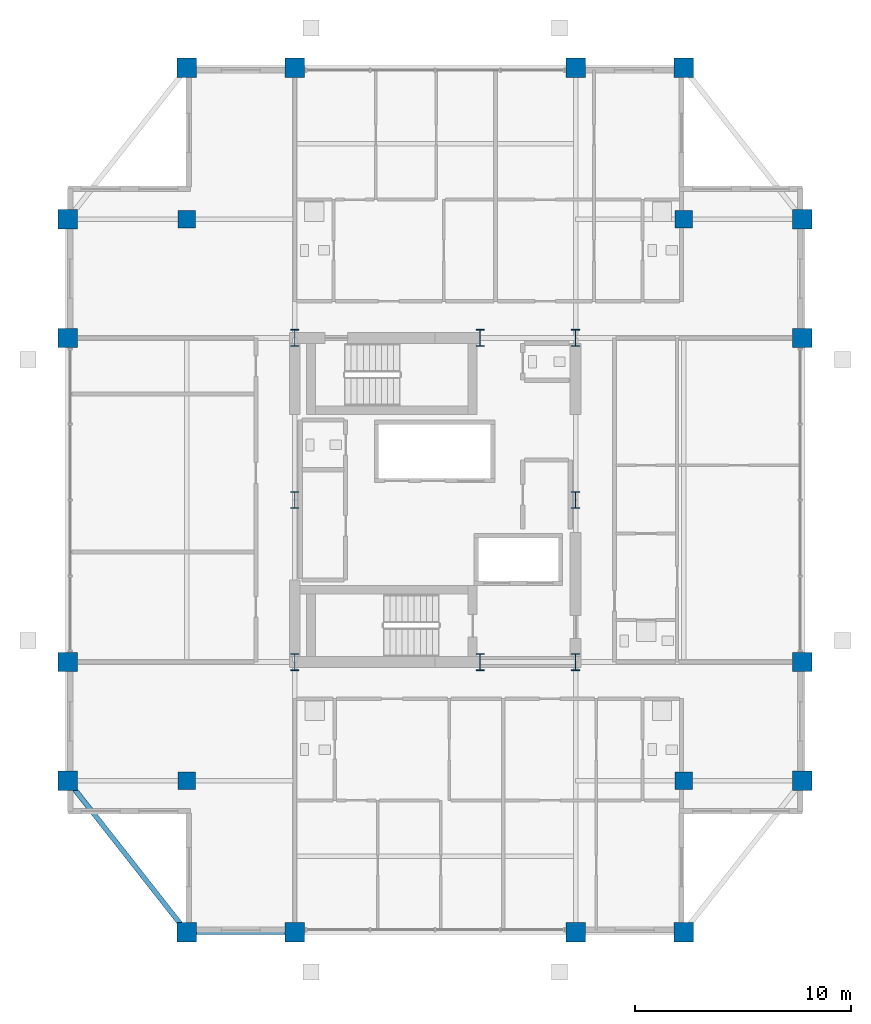
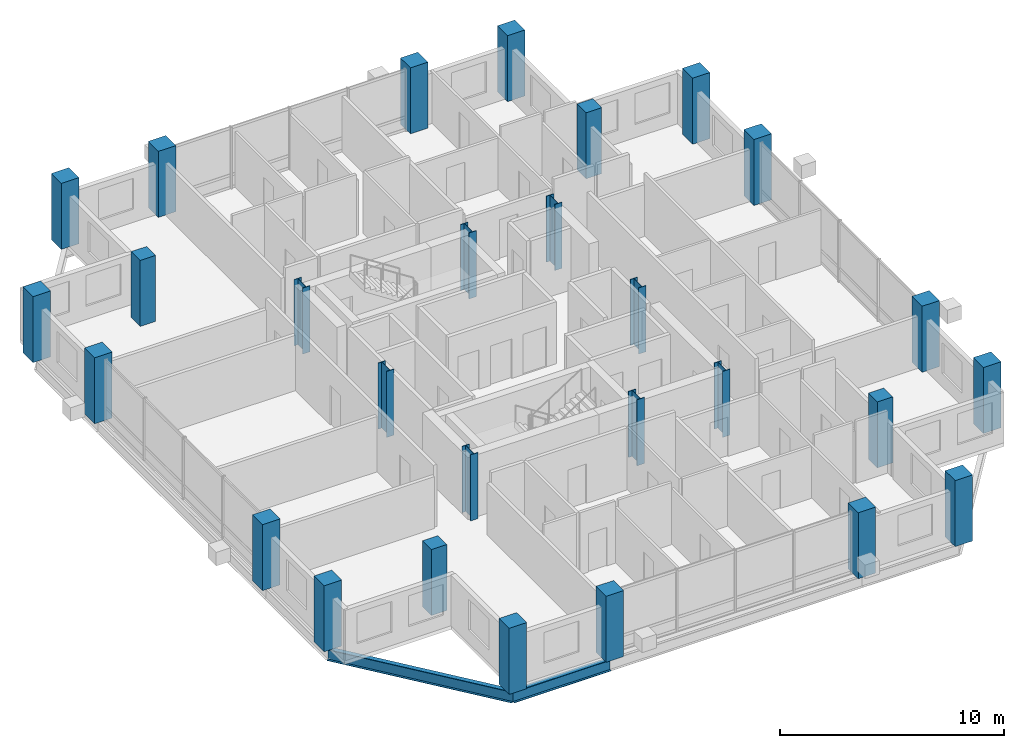
# One storey, part 1 of 21: 28 columns, 2 beams.
"""IFC4 building model written with IfcOpenShell, lengths in metres."""

from ifc_helpers import new_model, si_unit, direction, frame, origin, origin_2d, place, context, subcontext, project, spatial, rectangle, i_section, extrude, material, material_profile, profile_set, type_object, element, save


model = new_model("IFC4")

# Units and contexts
model_context = context("Model", 3, precision=1e-05, world=origin(), true_north=direction((0.0, 1.0)))
body_context = subcontext(model_context, "Body", "Model", "MODEL_VIEW")
ifc_project = project(units=[si_unit("LENGTHUNIT", "METRE"), si_unit("AREAUNIT", "SQUARE_METRE"), si_unit("VOLUMEUNIT", "CUBIC_METRE"), si_unit("PLANEANGLEUNIT", "RADIAN"), si_unit("MASSUNIT", "GRAM", prefix="KILO")], contexts=[model_context])

# Site, building, storey
site_placement = place(None, origin())
site = spatial("IfcSite", under=ifc_project, at=site_placement, CompositionType="ELEMENT")
building_placement = place(site_placement, origin())
building = spatial("IfcBuilding", under=site, at=building_placement, Name="Barlavira Tower and Art Museum", CompositionType="ELEMENT")
storey_placement = place(building_placement, frame((0.0, 0.0, 233.10009765625)))
storey = spatial("IfcBuildingStorey", under=building, at=storey_placement, Name="L60", CompositionType="ELEMENT", Elevation=233.10009765625)

# Columns
ifc_material_1 = material(Name="Steel S355", Category="steel")
ifc_material_profile_1 = material_profile(ifc_material_1, i_section(OverallWidth=0.382080078125, OverallDepth=0.785888671875, WebThickness=0.02001953125, FlangeThickness=0.032958984375, at=origin_2d()), Name="W760x314.0")
ifc_profile_set_1 = profile_set([ifc_material_profile_1], Name="Steel S355")
column_type_1 = type_object("IfcColumnType", Name="Core Composite Column W760x314 Steel S355", PredefinedType="COLUMN", material=ifc_profile_set_1)
for number, where, z_axis, x_axis, name in (
    (1, (-6.5, -7.5, 0.0), (0.0, 0.0, 1.0), (1.0, 0.0, 0.0), "L60 Column CC-L60-C1"),
    (2, (2.080078125, -7.5, 0.0), (0.0, 0.0, 1.0), (1.0, 0.0, 0.0), "L60 Column CC-L60-C2"),
    (3, (6.5, -7.5, 0.0), (0.0, 0.0, 1.0), (1.0, 0.0, 0.0), "L60 Column CC-L60-C3"),
    (4, (-6.5, 0.0, 0.0), (0.0, 0.0, 1.0), (1.0, 0.0, 0.0), "L60 Column CC-L60-C4"),
    (5, (6.5, 0.0, 0.0), (0.0, 0.0, 1.0), (1.0, 0.0, 0.0), "L60 Column CC-L60-C5"),
    (6, (-6.5, 7.5, 0.0), (0.0, 0.0, 1.0), (1.0, 0.0, 0.0), "L60 Column CC-L60-C6"),
    (7, (2.080078125, 7.5, 0.0), (0.0, 0.0, 1.0), (1.0, 0.0, 0.0), "L60 Column CC-L60-C7"),
    (8, (6.5, 7.5, 0.0), (0.0, 0.0, 1.0), (1.0, 0.0, 0.0), "L60 Column CC-L60-C8"),
):
    element("IfcColumn", number, at=place(storey_placement, frame(where, z_axis=z_axis, x_axis=x_axis)), inside=storey, type_object=column_type_1, Name=name, PredefinedType="COLUMN", context=body_context, shape_type="SweptSolid", body=[
        extrude(i_section(OverallWidth=0.382080078125, OverallDepth=0.785888671875, WebThickness=0.02001953125, FlangeThickness=0.032958984375, at=origin_2d()), origin(), (0.0, 0.0, 1.0), 3.599853515625),
    ])
ifc_material_2 = material(Name="Concrete C50", Category="concrete")
ifc_material_profile_2 = material_profile(ifc_material_2, rectangle(XDim=0.89990234375, YDim=0.89990234375, at=origin_2d()), Name="RC-COL 900x900")
ifc_profile_set_2 = profile_set([ifc_material_profile_2], Name="Concrete C50")
column_type_2 = type_object("IfcColumnType", Name="Perimeter Mega Column 900x900 Concrete C50", PredefinedType="USERDEFINED", material=ifc_profile_set_2)
for number, where, z_axis, x_axis, name in (
    (9, (-11.5, -20.0, 0.0), (0.0, 0.0, 1.0), (1.0, 0.0, 0.0), "L60 Column MC-L60-M01"),
    (10, (-6.5, -20.0, 0.0), (0.0, 0.0, 1.0), (1.0, 0.0, 0.0), "L60 Column MC-L60-M02"),
    (11, (6.5, -20.0, 0.0), (0.0, 0.0, 1.0), (1.0, 0.0, 0.0), "L60 Column MC-L60-M03"),
    (12, (11.5, -20.0, 0.0), (0.0, 0.0, 1.0), (1.0, 0.0, 0.0), "L60 Column MC-L60-M04"),
    (13, (17.0, -13.0, 0.0), (0.0, 0.0, 1.0), (1.0, 0.0, 0.0), "L60 Column MC-L60-M05"),
    (14, (17.0, -7.5, 0.0), (0.0, 0.0, 1.0), (1.0, 0.0, 0.0), "L60 Column MC-L60-M06"),
    (15, (17.0, 7.5, 0.0), (0.0, 0.0, 1.0), (1.0, 0.0, 0.0), "L60 Column MC-L60-M07"),
    (16, (17.0, 13.0, 0.0), (0.0, 0.0, 1.0), (1.0, 0.0, 0.0), "L60 Column MC-L60-M08"),
    (17, (11.5, 20.0, 0.0), (0.0, 0.0, 1.0), (1.0, 0.0, 0.0), "L60 Column MC-L60-M09"),
    (18, (6.5, 20.0, 0.0), (0.0, 0.0, 1.0), (1.0, 0.0, 0.0), "L60 Column MC-L60-M10"),
    (19, (-6.5, 20.0, 0.0), (0.0, 0.0, 1.0), (1.0, 0.0, 0.0), "L60 Column MC-L60-M11"),
    (20, (-11.5, 20.0, 0.0), (0.0, 0.0, 1.0), (1.0, 0.0, 0.0), "L60 Column MC-L60-M12"),
    (21, (-17.0, 13.0, 0.0), (0.0, 0.0, 1.0), (1.0, 0.0, 0.0), "L60 Column MC-L60-M13"),
    (22, (-17.0, 7.5, 0.0), (0.0, 0.0, 1.0), (1.0, 0.0, 0.0), "L60 Column MC-L60-M14"),
    (23, (-17.0, -7.5, 0.0), (0.0, 0.0, 1.0), (1.0, 0.0, 0.0), "L60 Column MC-L60-M15"),
    (24, (-17.0, -13.0, 0.0), (0.0, 0.0, 1.0), (1.0, 0.0, 0.0), "L60 Column MC-L60-M16"),
):
    element("IfcColumn", number, at=place(storey_placement, frame(where, z_axis=z_axis, x_axis=x_axis)), inside=storey, type_object=column_type_2, Name=name, ObjectType="MEGA COLUMN", PredefinedType="USERDEFINED", context=body_context, shape_type="SweptSolid", body=[
        extrude(rectangle(XDim=0.89990234375, YDim=0.89990234375, at=origin_2d()), origin(), (0.0, 0.0, 1.0), 3.599853515625),
    ])
ifc_material_profile_3 = material_profile(ifc_material_2, rectangle(XDim=0.800048828125, YDim=0.800048828125, at=origin_2d()), Name="RC-COL 800x800")
ifc_profile_set_3 = profile_set([ifc_material_profile_3], Name="Concrete C50")
column_type_3 = type_object("IfcColumnType", Name="Podium Frame Column 800x800 Concrete C50", PredefinedType="COLUMN", material=ifc_profile_set_3)
for number, where, z_axis, x_axis, name in (
    (25, (-11.5, -13.0, 0.0), (0.0, 0.0, 1.0), (1.0, 0.0, 0.0), "L60 Column CI-L60-I1"),
    (26, (11.5, -13.0, 0.0), (0.0, 0.0, 1.0), (1.0, 0.0, 0.0), "L60 Column CI-L60-I2"),
    (27, (-11.5, 13.0, 0.0), (0.0, 0.0, 1.0), (1.0, 0.0, 0.0), "L60 Column CI-L60-I3"),
    (28, (11.5, 13.0, 0.0), (0.0, 0.0, 1.0), (1.0, 0.0, 0.0), "L60 Column CI-L60-I4"),
):
    element("IfcColumn", number, at=place(storey_placement, frame(where, z_axis=z_axis, x_axis=x_axis)), inside=storey, type_object=column_type_3, Name=name, PredefinedType="COLUMN", context=body_context, shape_type="SweptSolid", body=[
        extrude(rectangle(XDim=0.800048828125, YDim=0.800048828125, at=origin_2d()), origin(), (0.0, 0.0, 1.0), 3.599853515625),
    ])

# Beams
ifc_material_profile_4 = material_profile(ifc_material_1, i_section(OverallWidth=0.22998046875, OverallDepth=0.616943359375, WebThickness=0.01318359375, FlangeThickness=0.022216796875, at=origin_2d()), Name="W610x140.0")
ifc_profile_set_4 = profile_set([ifc_material_profile_4], Name="Steel S355")
beam_type = type_object("IfcBeamType", Name="Upper Shaft Spandrel Edge Beam W610x140 Steel S355", PredefinedType="SPANDREL", material=ifc_profile_set_4)
beam_1_placement = place(storey_placement, frame((-11.5, -20.0, -0.528564453125), z_axis=(1.0, 0.0, 0.0), x_axis=(0.0, 1.0, 0.0)))
element("IfcBeam", 29, at=beam_1_placement, inside=storey, type_object=beam_type, Name="L60 Spandrel 1", PredefinedType="SPANDREL", context=body_context, shape_type="SweptSolid", body=[
    extrude(i_section(OverallWidth=0.22998046875, OverallDepth=0.616943359375, WebThickness=0.01318359375, FlangeThickness=0.022216796875, at=origin_2d()), origin(), (0.0, 0.0, 1.0), 5.0),
])
beam_2_placement = place(storey_placement, frame((-17.0, -13.0, -0.528564453125), z_axis=(0.617821551932, -0.786318338822, 0.0), x_axis=(0.786318338822, 0.617821551932, 0.0)))
element("IfcBeam", 30, at=beam_2_placement, inside=storey, type_object=beam_type, Name="L60 Spandrel 16", PredefinedType="SPANDREL", context=body_context, shape_type="SweptSolid", body=[
    extrude(i_section(OverallWidth=0.22998046875, OverallDepth=0.616943359375, WebThickness=0.01318359375, FlangeThickness=0.022216796875, at=origin_2d()), origin(), (0.0, 0.0, 1.0), 8.90234375),
])

save(model, "model.ifc")
